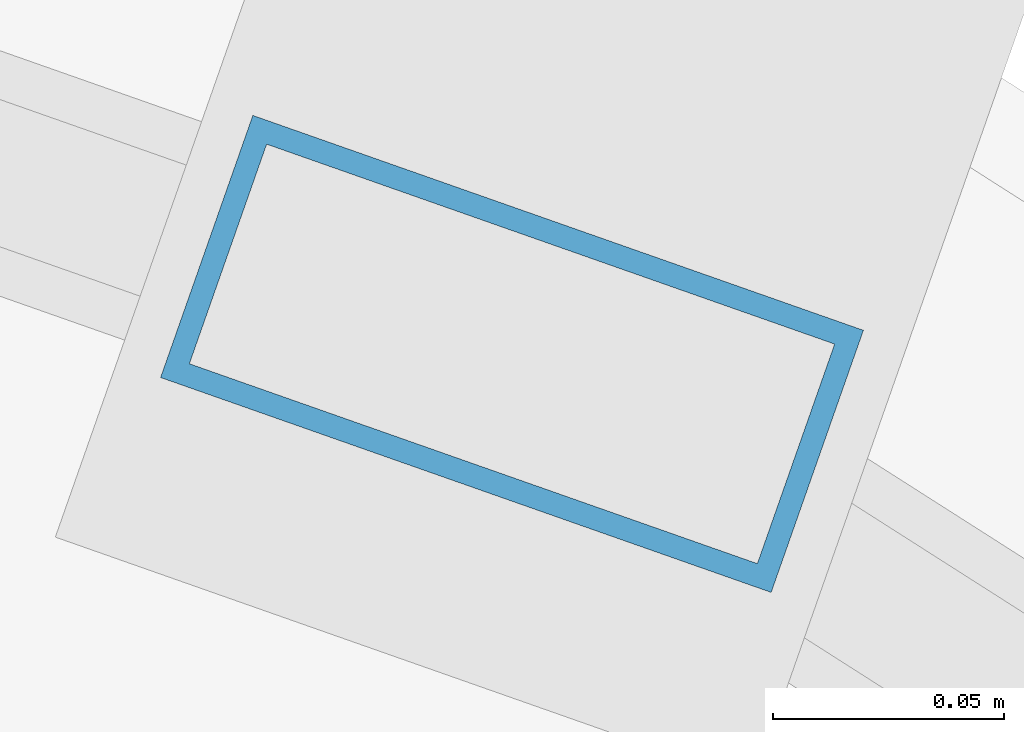
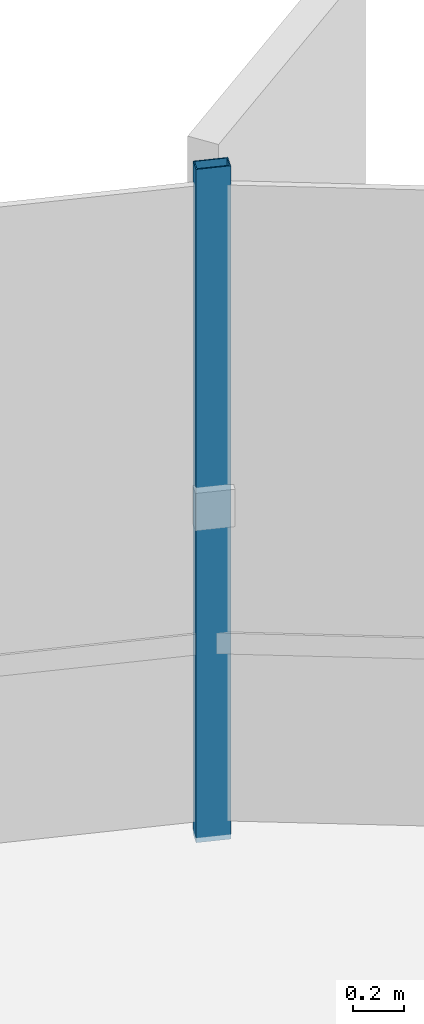
# One storey, part 24 of 35: 1 member, 1 element without a shape of its own.
"""IFC4 building model written with IfcOpenShell, lengths in metres."""

from ifc_helpers import new_model, si_unit, direction, frame, origin, origin_2d, place, context, subcontext, project, spatial, hollow_rectangle, extrude, source, transform, mapped, material, layer, layer_set, material_profile, profile_set, type_object, element, aggregate, save


model = new_model("IFC4")

# Units and contexts
model_context = context("Model", 3, precision=1e-05, world=origin(), true_north=direction((0.0, 1.0)))
body_context = subcontext(model_context, "Body", "Model", "MODEL_VIEW")
ifc_project = project(units=[si_unit("LENGTHUNIT", "METRE"), si_unit("AREAUNIT", "SQUARE_METRE"), si_unit("VOLUMEUNIT", "CUBIC_METRE"), si_unit("PLANEANGLEUNIT", "RADIAN"), si_unit("MASSUNIT", "GRAM", prefix="KILO"), si_unit("THERMODYNAMICTEMPERATUREUNIT", "KELVIN")], contexts=[model_context])

# Site, building, storey
site_placement = place(None, origin())
site = spatial("IfcSite", under=ifc_project, at=site_placement, CompositionType="ELEMENT")
building_placement = place(site_placement, origin())
building = spatial("IfcBuilding", under=site, at=building_placement, Name="Kethvar Cultural Tower", CompositionType="ELEMENT")
storey_placement = place(building_placement, frame((0.0, 0.0, 167.85009765625)))
storey = spatial("IfcBuildingStorey", under=building, at=storey_placement, Name="L43", CompositionType="ELEMENT", Elevation=167.85009765625)

# Curtain wall, member
ifc_material = material(Name="Aluminium 6063-T6", Category="aluminium")
ifc_layer = layer(ifc_material, 0.179931640625, Name="Aluminium 6063-T6", Category="aluminium")
ifc_layer_set = layer_set([ifc_layer], Name="Aluminium 6063-T6 (180 mm)")
curtain_wall_type = type_object("IfcCurtainWallType", Name="CW-SYS-04-Z34", PredefinedType="NOTDEFINED", material=ifc_layer_set)
curtain_wall_placement = place(storey_placement, origin())
curtain_wall = element("IfcCurtainWall", 1, at=curtain_wall_placement, inside=storey, type_object=curtain_wall_type, Name="L43 Curtain Wall Run 01", PredefinedType="NOTDEFINED")
ifc_material_profile = material_profile(ifc_material, hollow_rectangle(XDim=0.06005859375, YDim=0.139892578125, WallThickness=0.0048828125, at=origin_2d()), Name="Aluminium 6063-T6 — RHS140x60x5")
ifc_profile_set = profile_set([ifc_material_profile], Name="Aluminium 6063-T6 — RHS140x60x5")
member_type = type_object("IfcMemberType", Name="CW-SYS-04-Z34-MUL", PredefinedType="MULLION", material=ifc_profile_set)
shared_shape = source(origin(), body_context, "Body", "SweptSolid", [
    extrude(hollow_rectangle(XDim=0.06005859375, YDim=0.139892578125, WallThickness=0.0048828125, at=origin_2d()), origin(), (0.0, 0.0, 1.0), 3.239990234375),
])
member_placement = place(storey_placement, frame((67.44921875, 50.60107421875, 0.0), z_axis=(0.0, 0.0, 1.0), x_axis=(-0.331980040013, -0.943286410924, 0.0)))
member = element("IfcMember", 2, at=member_placement, type_object=member_type, Name="CW-L43-R01 Mullion 3", PredefinedType="MULLION", context=body_context, shape_type="MappedRepresentation", body=[
    mapped(shared_shape, transform((0.0, 0.0, 0.0), scale=1.0)),
])
aggregate(curtain_wall, [member])

save(model, "model.ifc")
